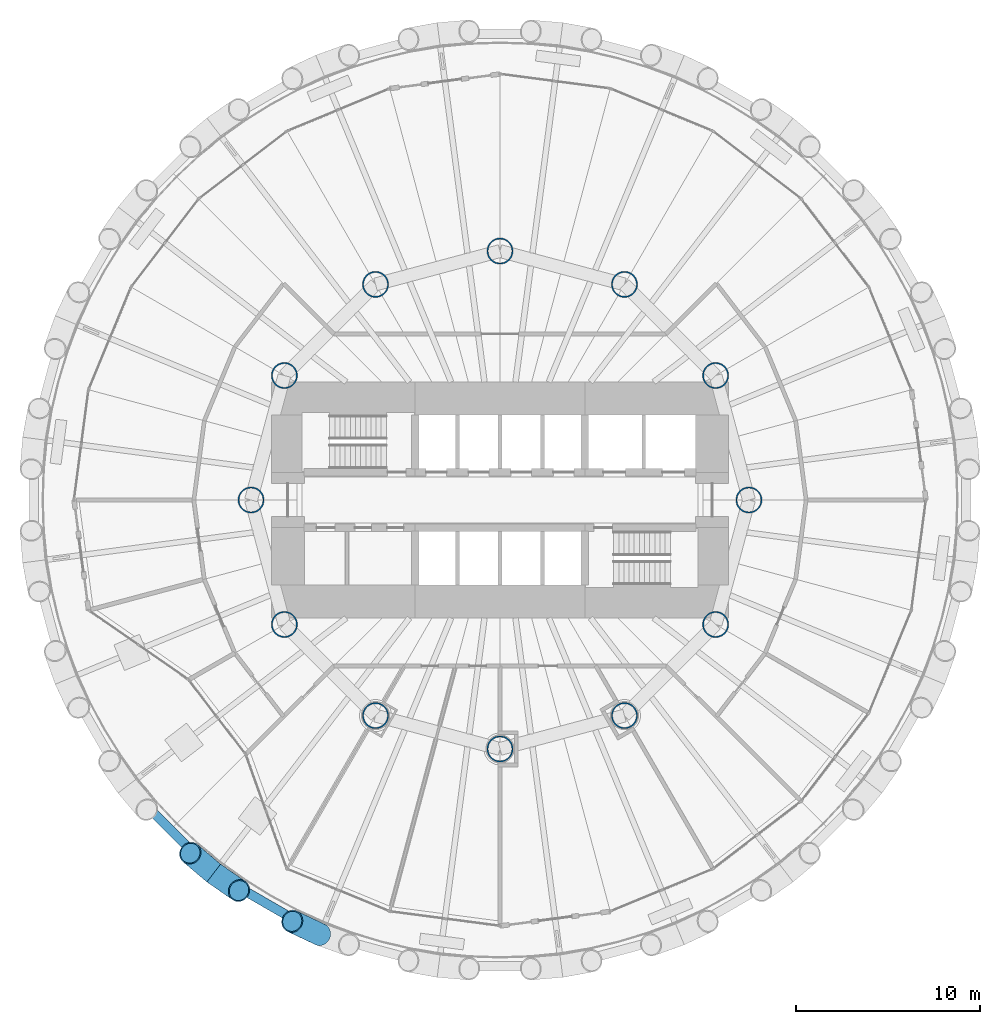
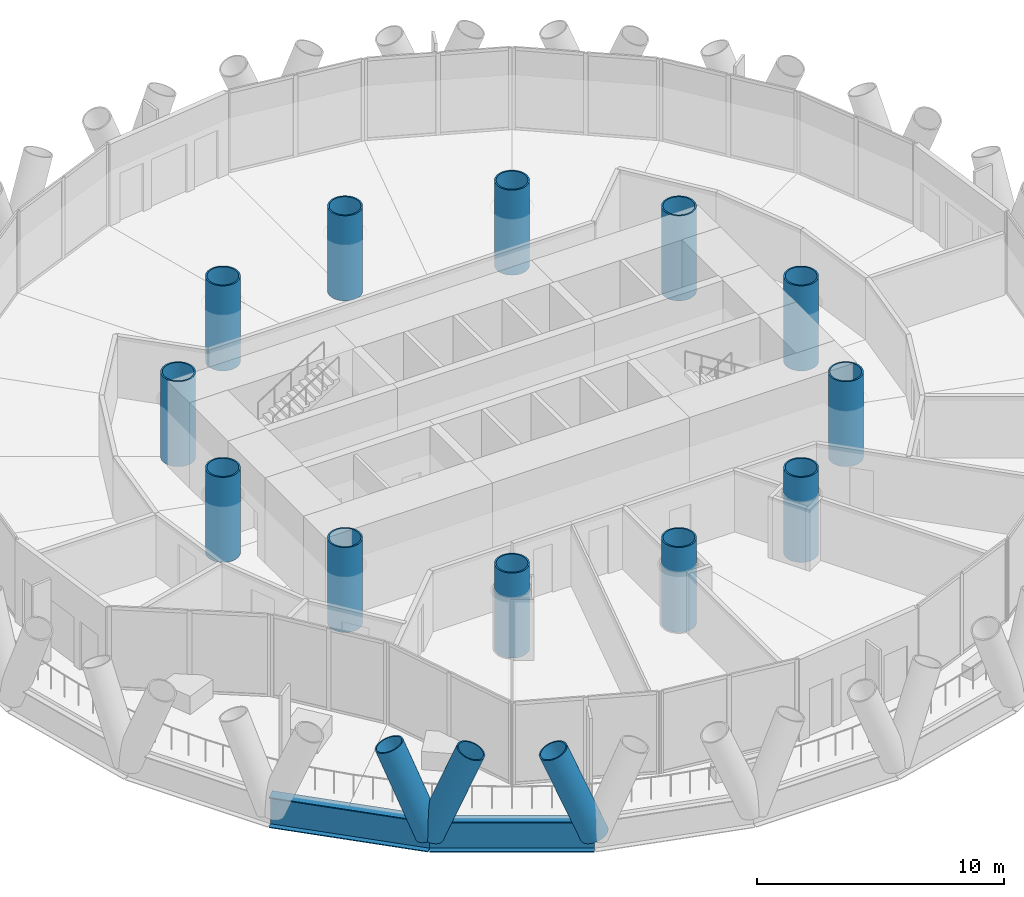
# One storey, part 1 of 14: 12 columns, 3 members, 2 beams.
"""IFC4 building model written with IfcOpenShell, lengths in metres."""

from ifc_helpers import new_model, si_unit, direction, frame, origin, origin_2d, place, context, subcontext, project, spatial, hollow_circle, i_section, extrude, material, material_profile, profile_set, type_object, element, save


model = new_model("IFC4")

# Units and contexts
model_context = context("Model", 3, precision=1e-05, world=origin(), true_north=direction((0.0, 1.0)))
body_context = subcontext(model_context, "Body", "Model", "MODEL_VIEW")
ifc_project = project(units=[si_unit("LENGTHUNIT", "METRE"), si_unit("AREAUNIT", "SQUARE_METRE"), si_unit("VOLUMEUNIT", "CUBIC_METRE"), si_unit("PLANEANGLEUNIT", "RADIAN"), si_unit("MASSUNIT", "GRAM", prefix="KILO")], contexts=[model_context])

# Site, building, storey
site_placement = place(None, origin())
site = spatial("IfcSite", under=ifc_project, at=site_placement, CompositionType="ELEMENT")
building_placement = place(site_placement, origin())
building = spatial("IfcBuilding", under=site, at=building_placement, Name="Qaws Media Tower", CompositionType="ELEMENT")
storey_placement = place(building_placement, frame((0.0, 0.0, 84.800048828125)))
storey = spatial("IfcBuildingStorey", under=building, at=storey_placement, Name="L18", CompositionType="ELEMENT", Elevation=84.800048828125)

# Columns
ifc_material_1 = material(Name="Steel S460", Category="steel")
ifc_material_profile_1 = material_profile(ifc_material_1, hollow_circle(Radius=0.7109375, WallThickness=0.070068359375, at=origin_2d()), Name="CHS 1422x70")
ifc_profile_set_1 = profile_set([ifc_material_profile_1], Name="Steel S460")
column_type = type_object("IfcColumnType", Name="Inner column CHS 1422x70", PredefinedType="COLUMN", material=ifc_profile_set_1)
for number, where, z_axis, x_axis, name in (
    (1, (73.5, 50.0, 0.0), (0.0, 0.0, 1.0), (1.0, 0.0, 0.0), "C5 inner column I01 L18"),
    (2, (71.69140625, 56.75, 0.0), (0.0, 0.0, 1.0), (1.0, 0.0, 0.0), "C5 inner column I02 L18"),
    (3, (66.75, 61.69140625, 0.0), (0.0, 0.0, 1.0), (1.0, 0.0, 0.0), "C5 inner column I03 L18"),
    (4, (60.0, 63.5, 0.0), (0.0, 0.0, 1.0), (1.0, 0.0, 0.0), "C5 inner column I04 L18"),
    (5, (53.25, 61.69140625, 0.0), (0.0, 0.0, 1.0), (1.0, 0.0, 0.0), "C5 inner column I05 L18"),
    (6, (48.30859375, 56.75, 0.0), (0.0, 0.0, 1.0), (1.0, 0.0, 0.0), "C5 inner column I06 L18"),
    (7, (46.5, 50.0, 0.0), (0.0, 0.0, 1.0), (1.0, 0.0, 0.0), "C5 inner column I07 L18"),
    (8, (48.30859375, 43.25, 0.0), (0.0, 0.0, 1.0), (1.0, 0.0, 0.0), "C5 inner column I08 L18"),
    (9, (53.25, 38.30859375, 0.0), (0.0, 0.0, 1.0), (1.0, 0.0, 0.0), "C5 inner column I09 L18"),
    (10, (60.0, 36.5, 0.0), (0.0, 0.0, 1.0), (1.0, 0.0, 0.0), "C5 inner column I10 L18"),
    (11, (66.75, 38.30859375, 0.0), (0.0, 0.0, 1.0), (1.0, 0.0, 0.0), "C5 inner column I11 L18"),
    (12, (71.69140625, 43.25, 0.0), (0.0, 0.0, 1.0), (1.0, 0.0, 0.0), "C5 inner column I12 L18"),
):
    element("IfcColumn", number, at=place(storey_placement, frame(where, z_axis=z_axis, x_axis=x_axis)), inside=storey, type_object=column_type, Name=name, PredefinedType="COLUMN", context=body_context, shape_type="SweptSolid", body=[
        extrude(hollow_circle(Radius=0.7109375, WallThickness=0.070068359375, at=origin_2d()), origin(), (0.0, 0.0, 1.0), 4.199951171875),
    ])

# Members
ifc_material_2 = material(Name="Steel S460", Category="steel")
ifc_material_profile_2 = material_profile(ifc_material_2, hollow_circle(Radius=0.609619140625, WallThickness=0.06005859375, at=origin_2d()), Name="CHS 1219x60")
ifc_profile_set_2 = profile_set([ifc_material_profile_2], Name="Steel S460")
member_type = type_object("IfcMemberType", Name="Diagrid member CHS 1219x60", PredefinedType="USERDEFINED", material=ifc_profile_set_2)
for number, where, z_axis, x_axis, name in (
    (13, (44.4765625, 29.76953125, -0.91015625), (0.303222861715, -0.210467890476, 0.929386444495), (0.570206543663, 0.821501367962, 0.0), "DG1 diagrid L18 A16"),
    (14, (44.4765625, 29.76953125, -0.91015625), (-0.281777694827, 0.238398191578, 0.929391001113), (-0.645896312854, -0.763425145671, 0.0), "DG1 diagrid L18 B16"),
    (15, (50.241455078125, 26.441162109375, -0.91015625), (-0.333859131371, 0.157313558342, 0.929403316522), (-0.426248137921, -0.904606281715, 0.0), "DG1 diagrid L18 B17"),
):
    element("IfcMember", number, at=place(storey_placement, frame(where, z_axis=z_axis, x_axis=x_axis)), inside=storey, type_object=member_type, Name=name, ObjectType="DIAGRID", PredefinedType="USERDEFINED", context=body_context, shape_type="SweptSolid", body=[
        extrude(hollow_circle(Radius=0.609619140625, WallThickness=0.06005859375, at=origin_2d()), origin(), (0.0, 0.0, 1.0), 4.519287109375),
    ])

# Beams
ifc_material_3 = material(Name="Steel S460", Category="steel")
ifc_material_profile_3 = material_profile(ifc_material_3, i_section(OverallWidth=0.5, OverallDepth=1.5, WebThickness=0.02001953125, FlangeThickness=0.0400390625, at=origin_2d()), Name="PG 1500x500")
ifc_profile_set_3 = profile_set([ifc_material_profile_3], Name="Steel S460")
beam_type = type_object("IfcBeamType", Name="Edge ring beam PG 1500x500", PredefinedType="BEAM", material=ifc_profile_set_3)
for number, where, z_axis, x_axis, name in (
    (16, (39.76953125, 34.4765625, -0.91015625), (0.707106781187, -0.707106781187, 0.0), (0.707106781187, 0.707106781187, 0.0), "RB4 edge ring beam L18-15"),
    (17, (44.4765625, 29.76953125, -0.91015625), (0.866024957627, -0.500000772766, 0.0), (0.500000772766, 0.866024957627, 0.0), "RB4 edge ring beam L18-16"),
):
    element("IfcBeam", number, at=place(storey_placement, frame(where, z_axis=z_axis, x_axis=x_axis)), inside=storey, type_object=beam_type, Name=name, PredefinedType="BEAM", context=body_context, shape_type="SweptSolid", body=[
        extrude(i_section(OverallWidth=0.5, OverallDepth=1.5, WebThickness=0.02001953125, FlangeThickness=0.0400390625, at=origin_2d()), origin(), (0.0, 0.0, 1.0), 6.65673828125),
    ])

save(model, "model.ifc")
